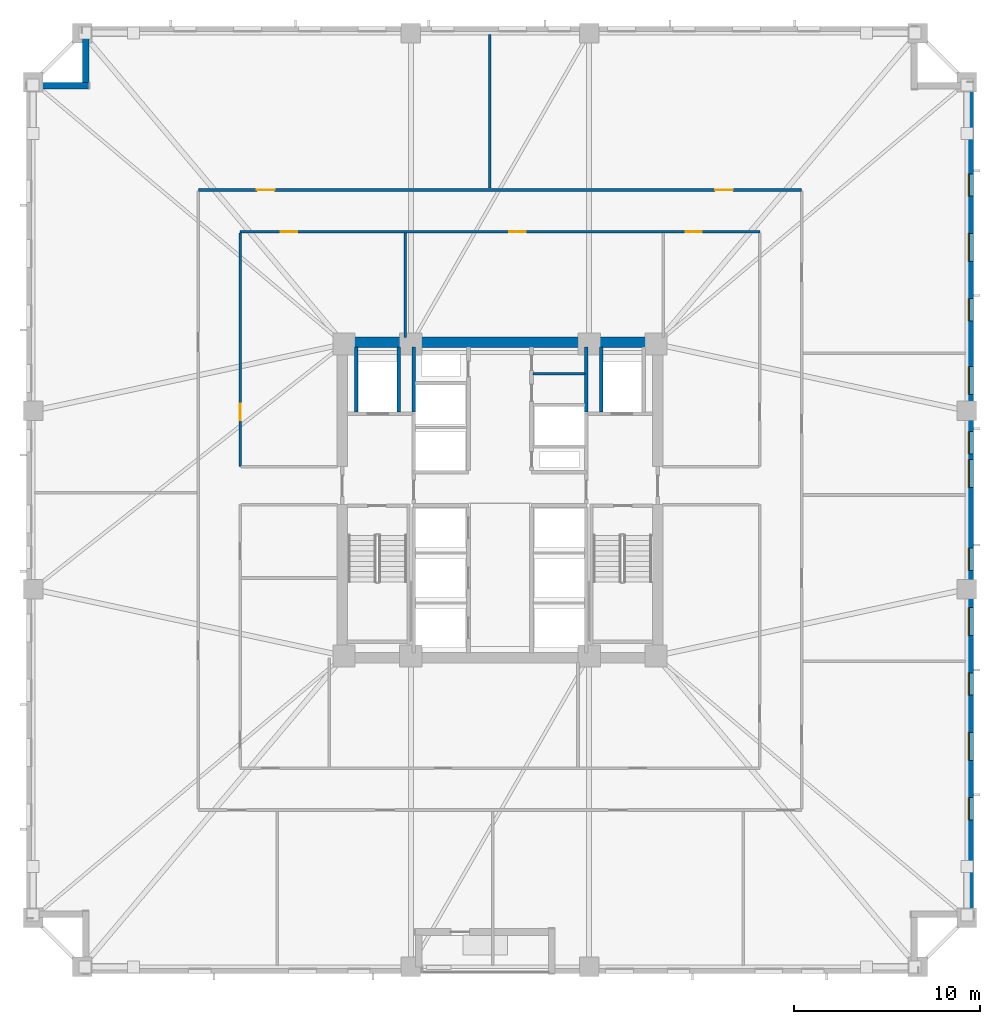
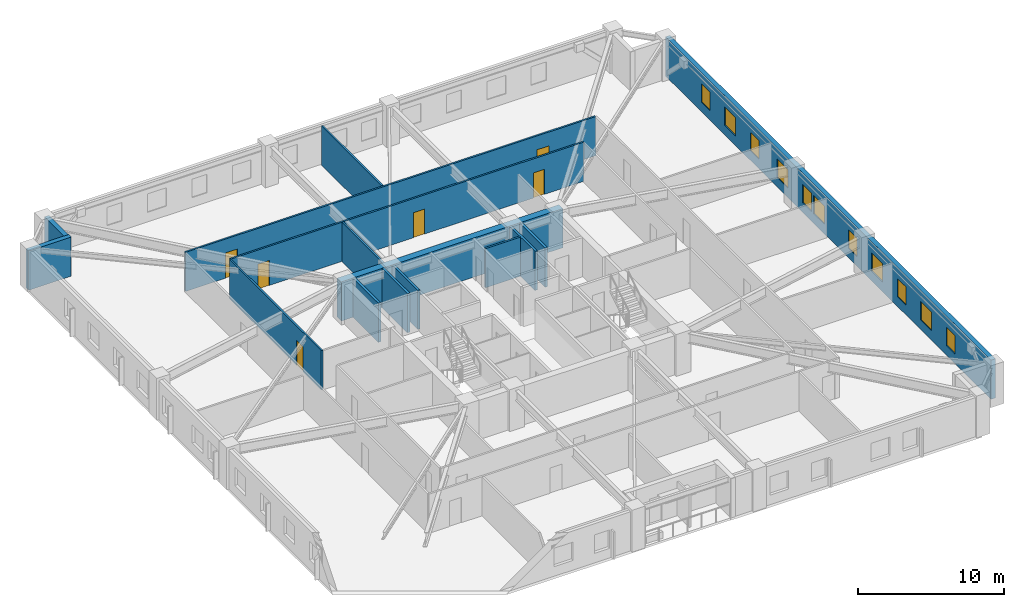
# One storey, part 5 of 11: 15 walls, 11 windows, 6 doors, 17 openings.
"""IFC4 building model written with IfcOpenShell, lengths in metres."""

from ifc_helpers import new_model, si_unit, direction, frame, frame_2d, origin, place, context, subcontext, project, spatial, rectangle, extrude, material, layer, layer_set, type_object, element, fill, save


model = new_model("IFC4")

# Units and contexts
model_context = context("Model", 3, precision=1e-05, world=origin(), true_north=direction((0.0, 1.0)))
body_context = subcontext(model_context, "Body", "Model", "MODEL_VIEW")
ifc_project = project(units=[si_unit("LENGTHUNIT", "METRE"), si_unit("AREAUNIT", "SQUARE_METRE"), si_unit("VOLUMEUNIT", "CUBIC_METRE"), si_unit("PLANEANGLEUNIT", "RADIAN"), si_unit("MASSUNIT", "GRAM", prefix="KILO")], contexts=[model_context])

# Site, building, storey
site_placement = place(None, origin())
site = spatial("IfcSite", under=ifc_project, at=site_placement, CompositionType="ELEMENT")
building_placement = place(site_placement, origin())
building = spatial("IfcBuilding", under=site, at=building_placement, Name="Cairnveth Concourse Tower", CompositionType="ELEMENT")
storey_placement = place(building_placement, frame((0.0, 0.0, 34.0)))
storey = spatial("IfcBuildingStorey", under=building, at=storey_placement, Name="L08", CompositionType="ELEMENT", Elevation=34.0)

# Walls
ifc_material_1 = material(Name="Gypsum Plasterboard Partition", Category="gypsum")
ifc_layer_1 = layer(ifc_material_1, 0.159912109375)
ifc_layer_set_1 = layer_set([ifc_layer_1], Name="Gypsum Plasterboard Partition")
wall_type_1 = type_object("IfcWallType", Name="ACOUSTIC PARTY WALL 180", PredefinedType="PARTITIONING", material=ifc_layer_set_1)
wall_1_placement = place(storey_placement, frame((53.784912109375, 45.800048828125, 0.0), z_axis=(0.0, 0.0, 1.0), x_axis=(1.0, 0.0, 0.0)))
element("IfcWall", 1, at=wall_1_placement, inside=storey, type_object=wall_type_1, Name="Interior Wall IW-L08-037", PredefinedType="PARTITIONING", context=body_context, shape_type="SweptSolid", body=[
    extrude(rectangle(XDim=2.7900390625, YDim=0.159912109375, at=frame_2d((1.39501953125, 0.0))), origin(), (0.0, 0.0, 1.0), 3.280029296875),
])
ifc_material_2 = material(Name="Concrete N80 (80 MPa)", Category="concrete")
ifc_layer_2 = layer(ifc_material_2, 0.550048828125)
ifc_layer_set_2 = layer_set([ifc_layer_2], Name="Concrete N80 (80 MPa)")
wall_type_2 = type_object("IfcWallType", Name="CORE SHEAR WALL 550", PredefinedType="SHEAR", material=ifc_layer_set_2)
wall_2_placement = place(storey_placement, frame((43.22509765625, 47.5, 0.0), z_axis=(0.0, 0.0, 1.0), x_axis=(1.0, 0.0, 0.0)))
element("IfcWall", 2, at=wall_2_placement, inside=storey, type_object=wall_type_2, Name="Core North Shear Wall L08", PredefinedType="SHEAR", context=body_context, shape_type="SweptSolid", body=[
    extrude(rectangle(XDim=17.5498046875, YDim=0.550048828125, at=frame_2d((8.77490234375, 0.0))), origin(), (0.0, 0.0, 1.0), 3.280029296875),
])
ifc_material_3 = material(Name="Concrete N50 (50 MPa)", Category="concrete")
ifc_layer_3 = layer(ifc_material_3, 0.179931640625)
ifc_layer_set_3 = layer_set([ifc_layer_3], Name="Concrete N50 (50 MPa)")
wall_type_3 = type_object("IfcWallType", Name="FIRE SHAFT WALL 180", PredefinedType="SOLIDWALL", material=ifc_layer_set_3)
for number, where, z_axis, x_axis, name in (
    (3, (47.35009765625, 43.735107421875, 0.0), (0.0, 0.0, 1.0), (0.0, 1.0, 0.0), "Interior Wall IW-L08-031"),
    (4, (56.64990234375, 43.735107421875, 0.0), (0.0, 0.0, 1.0), (0.0, 1.0, 0.0), "Interior Wall IW-L08-034"),
):
    element("IfcWall", number, at=place(storey_placement, frame(where, z_axis=z_axis, x_axis=x_axis)), inside=storey, type_object=wall_type_3, Name=name, PredefinedType="SOLIDWALL", context=body_context, shape_type="SweptSolid", body=[
        extrude(rectangle(XDim=3.5048828125, YDim=0.179931640625, at=frame_2d((1.75244140625, 0.0))), origin(), (0.0, 0.0, 1.0), 3.280029296875),
    ])
ifc_layer_4 = layer(ifc_material_3, 0.199951171875)
ifc_layer_set_4 = layer_set([ifc_layer_4], Name="Concrete N50 (50 MPa)")
wall_type_4 = type_object("IfcWallType", Name="FIRE SHAFT WALL 200", PredefinedType="SOLIDWALL", material=ifc_layer_set_4)
for number, where, z_axis, x_axis, name in (
    (5, (46.550048828125, 43.735107421875, 0.0), (0.0, 0.0, 1.0), (0.0, 1.0, 0.0), "Interior Wall IW-L08-018"),
    (6, (44.25, 43.735107421875, 0.0), (0.0, 0.0, 1.0), (0.0, 1.0, 0.0), "Interior Wall IW-L08-019"),
    (7, (57.449951171875, 43.735107421875, 0.0), (0.0, 0.0, 1.0), (0.0, 1.0, 0.0), "Interior Wall IW-L08-023"),
):
    element("IfcWall", number, at=place(storey_placement, frame(where, z_axis=z_axis, x_axis=x_axis)), inside=storey, type_object=wall_type_4, Name=name, PredefinedType="SOLIDWALL", context=body_context, shape_type="SweptSolid", body=[
        extrude(rectangle(XDim=3.5048828125, YDim=0.199951171875, at=frame_2d((1.75244140625, 0.0))), origin(), (0.0, 0.0, 1.0), 3.280029296875),
    ])

# Wall, openings, doors
ifc_layer_5 = layer(ifc_material_1, 0.139892578125)
ifc_layer_set_5 = layer_set([ifc_layer_5], Name="Gypsum Plasterboard Partition")
wall_type_5 = type_object("IfcWallType", Name="GYPSUM STUD PARTITION 140", PredefinedType="PARTITIONING", material=ifc_layer_set_5)
wall_3_placement = place(storey_placement, frame((35.75, 55.699951171875, 0.0), z_axis=(0.0, 0.0, 1.0), x_axis=(1.0, 0.0, 0.0)))
wall_3 = element("IfcWall", 8, at=wall_3_placement, inside=storey, type_object=wall_type_5, Name="Interior Wall IW-L08-039", PredefinedType="PARTITIONING", context=body_context, shape_type="SweptSolid", body=[
    extrude(rectangle(XDim=32.5, YDim=0.139892578125, at=frame_2d((16.25, 0.0))), origin(), (0.0, 0.0, 1.0), 3.280029296875),
])
opening_1_placement = place(wall_3_placement, frame((3.15380859375, 0.0, 0.0)))
opening_1 = element("IfcOpeningElement", 9, at=opening_1_placement, cuts=wall_3, Name="Opening ID11", PredefinedType="OPENING", context=body_context, shape_type="SweptSolid", body=[
    extrude(rectangle(XDim=0.9599609375, YDim=2.1201171875, at=frame_2d((0.47998046875, 1.06005859375))), frame((0.0, 0.079833984375, 0.0), z_axis=(0.0, -1.0, 0.0), x_axis=(1.0, 0.0, 0.0)), (0.0, 0.0, 1.0), 0.159912109375),
])
opening_2_placement = place(wall_3_placement, frame((27.833740234375, 0.0, 0.0)))
opening_2 = element("IfcOpeningElement", 10, at=opening_2_placement, cuts=wall_3, Name="Opening ID11", PredefinedType="OPENING", context=body_context, shape_type="SweptSolid", body=[
    extrude(rectangle(XDim=0.9599609375, YDim=2.1201171875, at=frame_2d((0.47998046875, 1.06005859375))), frame((0.0, 0.079833984375, 0.0), z_axis=(0.0, -1.0, 0.0), x_axis=(1.0, 0.0, 0.0)), (0.0, 0.0, 1.0), 0.159912109375),
])
ifc_material_4 = material(Name="Solid Core Hardwood Timber Leaf", Category="wood")
door_type_1 = type_object("IfcDoorType", Name="INTERIOR SINGLE DOOR 960X2150", OperationType="NOTDEFINED", PredefinedType="DOOR", material=ifc_material_4)
door_1_placement = place(opening_1_placement, origin())
door_1 = element("IfcDoor", 11, at=door_1_placement, inside=storey, type_object=door_type_1, Name="Office Door L08-N1", OperationType="SINGLE_SWING_LEFT", OverallHeight=2.1201171875, OverallWidth=0.9599609375, PredefinedType="DOOR", context=body_context, shape_type="SweptSolid", body=[
    extrude(rectangle(XDim=0.9599609375, YDim=2.1201171875, at=frame_2d((0.47998046875, 1.06005859375))), frame((0.0, 0.02490234375, 0.0), z_axis=(0.0, -1.0, 0.0), x_axis=(1.0, 0.0, 0.0)), (0.0, 0.0, 1.0), 0.050048828125),
])
fill(opening_1, door_1)
door_2_placement = place(opening_2_placement, origin())
door_2 = element("IfcDoor", 12, at=door_2_placement, inside=storey, type_object=door_type_1, Name="Office Door L08-N2", OperationType="SINGLE_SWING_RIGHT", OverallHeight=2.1201171875, OverallWidth=0.9599609375, PredefinedType="DOOR", context=body_context, shape_type="SweptSolid", body=[
    extrude(rectangle(XDim=0.9599609375, YDim=2.1201171875, at=frame_2d((0.47998046875, 1.06005859375))), frame((0.0, 0.02490234375, 0.0), z_axis=(0.0, -1.0, 0.0), x_axis=(1.0, 0.0, 0.0)), (0.0, 0.0, 1.0), 0.050048828125),
])
fill(opening_2, door_2)

wall_4_placement = place(storey_placement, frame((38.0, 53.449951171875, 0.0), z_axis=(0.0, 0.0, 1.0), x_axis=(1.0, 0.0, 0.0)))
wall_4 = element("IfcWall", 13, at=wall_4_placement, inside=storey, type_object=wall_type_5, Name="Interior Wall IW-L08-043", PredefinedType="PARTITIONING", context=body_context, shape_type="SweptSolid", body=[
    extrude(rectangle(XDim=28.0, YDim=0.139892578125, at=frame_2d((14.0, 0.0))), origin(), (0.0, 0.0, 1.0), 3.280029296875),
])
opening_3_placement = place(wall_4_placement, frame((2.199951171875, 0.0, 0.0)))
opening_3 = element("IfcOpeningElement", 14, at=opening_3_placement, cuts=wall_4, Name="Opening ID18", PredefinedType="OPENING", context=body_context, shape_type="SweptSolid", body=[
    extrude(rectangle(XDim=0.8798828125, YDim=2.10009765625, at=frame_2d((0.43994140625, 1.050048828125))), frame((0.0, 0.079833984375, 0.0), z_axis=(0.0, -1.0, 0.0), x_axis=(1.0, 0.0, 0.0)), (0.0, 0.0, 1.0), 0.159912109375),
])
opening_4_placement = place(wall_4_placement, frame((14.5, 0.0, 0.0)))
opening_4 = element("IfcOpeningElement", 15, at=opening_4_placement, cuts=wall_4, Name="Opening ID18", PredefinedType="OPENING", context=body_context, shape_type="SweptSolid", body=[
    extrude(rectangle(XDim=0.8798828125, YDim=2.10009765625, at=frame_2d((0.43994140625, 1.050048828125))), frame((0.0, 0.079833984375, 0.0), z_axis=(0.0, -1.0, 0.0), x_axis=(1.0, 0.0, 0.0)), (0.0, 0.0, 1.0), 0.159912109375),
])
opening_5_placement = place(wall_4_placement, frame((24.0, 0.0, 0.0)))
opening_5 = element("IfcOpeningElement", 16, at=opening_5_placement, cuts=wall_4, Name="Opening ID18", PredefinedType="OPENING", context=body_context, shape_type="SweptSolid", body=[
    extrude(rectangle(XDim=0.8798828125, YDim=2.10009765625, at=frame_2d((0.43994140625, 1.050048828125))), frame((0.0, 0.079833984375, 0.0), z_axis=(0.0, -1.0, 0.0), x_axis=(1.0, 0.0, 0.0)), (0.0, 0.0, 1.0), 0.159912109375),
])
door_type_2 = type_object("IfcDoorType", Name="INTERIOR SINGLE DOOR 880X2100", OperationType="NOTDEFINED", PredefinedType="DOOR", material=ifc_material_4)
door_3_placement = place(opening_3_placement, origin())
door_3 = element("IfcDoor", 17, at=door_3_placement, inside=storey, type_object=door_type_2, Name="Interior Door DR-L08-017", OperationType="SINGLE_SWING_LEFT", OverallHeight=2.10009765625, OverallWidth=0.8798828125, PredefinedType="DOOR", context=body_context, shape_type="SweptSolid", body=[
    extrude(rectangle(XDim=0.8798828125, YDim=2.10009765625, at=frame_2d((0.43994140625, 1.050048828125))), frame((0.0, 0.02490234375, 0.0), z_axis=(0.0, -1.0, 0.0), x_axis=(1.0, 0.0, 0.0)), (0.0, 0.0, 1.0), 0.050048828125),
])
fill(opening_3, door_3)
door_4_placement = place(opening_4_placement, origin())
door_4 = element("IfcDoor", 18, at=door_4_placement, inside=storey, type_object=door_type_2, Name="Interior Door DR-L08-018", OperationType="SINGLE_SWING_RIGHT", OverallHeight=2.10009765625, OverallWidth=0.8798828125, PredefinedType="DOOR", context=body_context, shape_type="SweptSolid", body=[
    extrude(rectangle(XDim=0.8798828125, YDim=2.10009765625, at=frame_2d((0.43994140625, 1.050048828125))), frame((0.0, 0.02490234375, 0.0), z_axis=(0.0, -1.0, 0.0), x_axis=(1.0, 0.0, 0.0)), (0.0, 0.0, 1.0), 0.050048828125),
])
fill(opening_4, door_4)
door_5_placement = place(opening_5_placement, origin())
door_5 = element("IfcDoor", 19, at=door_5_placement, inside=storey, type_object=door_type_2, Name="Interior Door DR-L08-019", OperationType="SINGLE_SWING_LEFT", OverallHeight=2.10009765625, OverallWidth=0.8798828125, PredefinedType="DOOR", context=body_context, shape_type="SweptSolid", body=[
    extrude(rectangle(XDim=0.8798828125, YDim=2.10009765625, at=frame_2d((0.43994140625, 1.050048828125))), frame((0.0, 0.02490234375, 0.0), z_axis=(0.0, -1.0, 0.0), x_axis=(1.0, 0.0, 0.0)), (0.0, 0.0, 1.0), 0.050048828125),
])
fill(opening_5, door_5)

# Wall, opening, door
wall_5_placement = place(storey_placement, frame((38.0, 40.800048828125, 0.0), z_axis=(0.0, 0.0, 1.0), x_axis=(0.0, 1.0, 0.0)))
wall_5 = element("IfcWall", 20, at=wall_5_placement, inside=storey, type_object=wall_type_5, Name="Interior Wall IW-L08-045", PredefinedType="PARTITIONING", context=body_context, shape_type="SweptSolid", body=[
    extrude(rectangle(XDim=12.594970703125, YDim=0.139892578125, at=frame_2d((6.29736328125, 0.0))), origin(), (0.0, 0.0, 1.0), 3.280029296875),
])
opening_6_placement = place(wall_5_placement, frame((2.5, 0.0, 0.0)))
opening_6 = element("IfcOpeningElement", 21, at=opening_6_placement, cuts=wall_5, Name="Opening ID18", PredefinedType="OPENING", context=body_context, shape_type="SweptSolid", body=[
    extrude(rectangle(XDim=0.8798828125, YDim=2.10009765625, at=frame_2d((0.43994140625, 1.050048828125))), frame((0.0, 0.079833984375, 0.0), z_axis=(0.0, -1.0, 0.0), x_axis=(1.0, 0.0, 0.0)), (0.0, 0.0, 1.0), 0.159912109375),
])
door_6_placement = place(opening_6_placement, origin())
door_6 = element("IfcDoor", 22, at=door_6_placement, inside=storey, type_object=door_type_2, Name="Interior Door DR-L08-022", OperationType="SINGLE_SWING_RIGHT", OverallHeight=2.10009765625, OverallWidth=0.8798828125, PredefinedType="DOOR", context=body_context, shape_type="SweptSolid", body=[
    extrude(rectangle(XDim=0.8798828125, YDim=2.10009765625, at=frame_2d((0.43994140625, 1.050048828125))), frame((0.0, 0.02490234375, 0.0), z_axis=(0.0, -1.0, 0.0), x_axis=(1.0, 0.0, 0.0)), (0.0, 0.0, 1.0), 0.050048828125),
])
fill(opening_6, door_6)

# Walls
wall_6_placement = place(storey_placement, frame((46.89990234375, 47.760009765625, 0.0), z_axis=(0.0, 0.0, 1.0), x_axis=(0.0, 1.0, 0.0)))
element("IfcWall", 23, at=wall_6_placement, inside=storey, type_object=wall_type_5, Name="Interior Wall IW-L08-054", PredefinedType="PARTITIONING", context=body_context, shape_type="SweptSolid", body=[
    extrude(rectangle(XDim=5.635009765625, YDim=0.139892578125, at=frame_2d((2.8173828125, 0.0))), origin(), (0.0, 0.0, 1.0), 3.280029296875),
])
wall_7_placement = place(storey_placement, frame((51.447509765625, 55.800048828125, 0.0), z_axis=(0.0, 0.0, 1.0), x_axis=(0.0, 1.0, 0.0)))
element("IfcWall", 24, at=wall_7_placement, inside=storey, type_object=wall_type_5, Name="Interior Wall IW-L08-060", PredefinedType="PARTITIONING", context=body_context, shape_type="SweptSolid", body=[
    extrude(rectangle(XDim=8.280029296875, YDim=0.139892578125, at=frame_2d((4.14013671875, 0.0))), origin(), (0.0, 0.0, 1.0), 3.280029296875),
])
ifc_material_5 = material(Name="Hawthorn Red-Ochre Fired Clay Brick Masonry", Category="masonry")
ifc_layer_6 = layer(ifc_material_5, 0.360107421875)
ifc_layer_set_6 = layer_set([ifc_layer_6], Name="Hawthorn Red-Ochre Fired Clay Brick Masonry")
wall_type_6 = type_object("IfcWallType", Name="ZONE 1 BRICK PIER SPANDREL WALL 360", PredefinedType="SOLIDWALL", material=ifc_layer_set_6)
wall_8_placement = place(storey_placement, frame((26.5, 61.320068359375, 0.0), z_axis=(0.0, 0.0, 1.0), x_axis=(1.0, 0.0, 0.0)))
element("IfcWall", 25, at=wall_8_placement, inside=storey, type_object=wall_type_6, Name="Exterior Wall EW-L08-S04", PredefinedType="SOLIDWALL", context=body_context, shape_type="SweptSolid", body=[
    extrude(rectangle(XDim=3.360107421875, YDim=0.360107421875, at=frame_2d((1.68017578125, 0.0))), origin(), (0.0, 0.0, 1.0), 3.280029296875),
])
wall_9_placement = place(storey_placement, frame((29.679931640625, 61.47802734375, 0.0), z_axis=(0.0, 0.0, 1.0), x_axis=(0.0, 1.0, 0.0)))
element("IfcWall", 26, at=wall_9_placement, inside=storey, type_object=wall_type_6, Name="Exterior Wall EW-L08-S05", PredefinedType="SOLIDWALL", context=body_context, shape_type="SweptSolid", body=[
    extrude(rectangle(XDim=2.68408203125, YDim=0.360107421875, at=frame_2d((1.342041015625, 0.0))), origin(), (0.0, 0.0, 1.0), 3.280029296875),
])

# Wall, openings, windows
wall_10_placement = place(storey_placement, frame((77.320068359375, 61.5, 0.0), z_axis=(0.0, 0.0, 1.0), x_axis=(0.0, -1.0, 0.0)))
wall_10 = element("IfcWall", 27, at=wall_10_placement, inside=storey, type_object=wall_type_6, Name="Exterior Wall EW-L08-S09", PredefinedType="SOLIDWALL", context=body_context, shape_type="SweptSolid", body=[
    extrude(rectangle(XDim=44.662109375, YDim=0.360107421875, at=frame_2d((22.3310546875, 0.0))), origin(), (0.0, 0.0, 1.0), 3.280029296875),
])
opening_7_placement = place(wall_10_placement, frame((4.93017578125, 0.0, 0.800048828125)))
opening_7 = element("IfcOpeningElement", 28, at=opening_7_placement, cuts=wall_10, Name="Opening W01", PredefinedType="OPENING", context=body_context, shape_type="SweptSolid", body=[
    extrude(rectangle(XDim=1.199951171875, YDim=1.5439453125, at=frame_2d((0.60009765625, 0.77197265625))), frame((0.0, 0.18994140625, 0.0), z_axis=(0.0, -1.0, 0.0), x_axis=(1.0, 0.0, 0.0)), (0.0, 0.0, 1.0), 0.380126953125),
])
opening_8_placement = place(wall_10_placement, frame((8.140380859375, 0.0, 0.800048828125)))
opening_8 = element("IfcOpeningElement", 29, at=opening_8_placement, cuts=wall_10, Name="Opening W03", PredefinedType="OPENING", context=body_context, shape_type="SweptSolid", body=[
    extrude(rectangle(XDim=1.5, YDim=1.5439453125, at=frame_2d((0.75, 0.77197265625))), frame((0.0, 0.18994140625, 0.0), z_axis=(0.0, -1.0, 0.0), x_axis=(1.0, 0.0, 0.0)), (0.0, 0.0, 1.0), 0.380126953125),
])
opening_9_placement = place(wall_10_placement, frame((11.650390625, 0.0, 0.800048828125)))
opening_9 = element("IfcOpeningElement", 30, at=opening_9_placement, cuts=wall_10, Name="Opening W01", PredefinedType="OPENING", context=body_context, shape_type="SweptSolid", body=[
    extrude(rectangle(XDim=1.199951171875, YDim=1.5439453125, at=frame_2d((0.60009765625, 0.77197265625))), frame((0.0, 0.18994140625, 0.0), z_axis=(0.0, -1.0, 0.0), x_axis=(1.0, 0.0, 0.0)), (0.0, 0.0, 1.0), 0.380126953125),
])
opening_10_placement = place(wall_10_placement, frame((15.310546875, 0.0, 0.800048828125)))
opening_10 = element("IfcOpeningElement", 31, at=opening_10_placement, cuts=wall_10, Name="Opening W03", PredefinedType="OPENING", context=body_context, shape_type="SweptSolid", body=[
    extrude(rectangle(XDim=1.5, YDim=1.5439453125, at=frame_2d((0.75, 0.77197265625))), frame((0.0, 0.18994140625, 0.0), z_axis=(0.0, -1.0, 0.0), x_axis=(1.0, 0.0, 0.0)), (0.0, 0.0, 1.0), 0.380126953125),
])
opening_11_placement = place(wall_10_placement, frame((18.82080078125, 0.0, 0.800048828125)))
opening_11 = element("IfcOpeningElement", 32, at=opening_11_placement, cuts=wall_10, Name="Opening W01", PredefinedType="OPENING", context=body_context, shape_type="SweptSolid", body=[
    extrude(rectangle(XDim=1.199951171875, YDim=1.5439453125, at=frame_2d((0.60009765625, 0.77197265625))), frame((0.0, 0.18994140625, 0.0), z_axis=(0.0, -1.0, 0.0), x_axis=(1.0, 0.0, 0.0)), (0.0, 0.0, 1.0), 0.380126953125),
])
opening_12_placement = place(wall_10_placement, frame((20.3310546875, 0.0, 0.800048828125)))
opening_12 = element("IfcOpeningElement", 33, at=opening_12_placement, cuts=wall_10, Name="Opening W03", PredefinedType="OPENING", context=body_context, shape_type="SweptSolid", body=[
    extrude(rectangle(XDim=1.5, YDim=1.5439453125, at=frame_2d((0.75, 0.77197265625))), frame((0.0, 0.18994140625, 0.0), z_axis=(0.0, -1.0, 0.0), x_axis=(1.0, 0.0, 0.0)), (0.0, 0.0, 1.0), 0.380126953125),
])
opening_13_placement = place(wall_10_placement, frame((25.09130859375, 0.0, 0.800048828125)))
opening_13 = element("IfcOpeningElement", 34, at=opening_13_placement, cuts=wall_10, Name="Opening W01", PredefinedType="OPENING", context=body_context, shape_type="SweptSolid", body=[
    extrude(rectangle(XDim=1.199951171875, YDim=1.5439453125, at=frame_2d((0.60009765625, 0.77197265625))), frame((0.0, 0.18994140625, 0.0), z_axis=(0.0, -1.0, 0.0), x_axis=(1.0, 0.0, 0.0)), (0.0, 0.0, 1.0), 0.380126953125),
])
opening_14_placement = place(wall_10_placement, frame((28.301513671875, 0.0, 0.800048828125)))
opening_14 = element("IfcOpeningElement", 35, at=opening_14_placement, cuts=wall_10, Name="Opening W03", PredefinedType="OPENING", context=body_context, shape_type="SweptSolid", body=[
    extrude(rectangle(XDim=1.5, YDim=1.5439453125, at=frame_2d((0.75, 0.77197265625))), frame((0.0, 0.18994140625, 0.0), z_axis=(0.0, -1.0, 0.0), x_axis=(1.0, 0.0, 0.0)), (0.0, 0.0, 1.0), 0.380126953125),
])
opening_15_placement = place(wall_10_placement, frame((31.8115234375, 0.0, 0.800048828125)))
opening_15 = element("IfcOpeningElement", 36, at=opening_15_placement, cuts=wall_10, Name="Opening W01", PredefinedType="OPENING", context=body_context, shape_type="SweptSolid", body=[
    extrude(rectangle(XDim=1.199951171875, YDim=1.5439453125, at=frame_2d((0.60009765625, 0.77197265625))), frame((0.0, 0.18994140625, 0.0), z_axis=(0.0, -1.0, 0.0), x_axis=(1.0, 0.0, 0.0)), (0.0, 0.0, 1.0), 0.380126953125),
])
opening_16_placement = place(wall_10_placement, frame((35.021728515625, 0.0, 0.800048828125)))
opening_16 = element("IfcOpeningElement", 37, at=opening_16_placement, cuts=wall_10, Name="Opening W03", PredefinedType="OPENING", context=body_context, shape_type="SweptSolid", body=[
    extrude(rectangle(XDim=1.5, YDim=1.5439453125, at=frame_2d((0.75, 0.77197265625))), frame((0.0, 0.18994140625, 0.0), z_axis=(0.0, -1.0, 0.0), x_axis=(1.0, 0.0, 0.0)), (0.0, 0.0, 1.0), 0.380126953125),
])
opening_17_placement = place(wall_10_placement, frame((38.531982421875, 0.0, 0.800048828125)))
opening_17 = element("IfcOpeningElement", 38, at=opening_17_placement, cuts=wall_10, Name="Opening W01", PredefinedType="OPENING", context=body_context, shape_type="SweptSolid", body=[
    extrude(rectangle(XDim=1.199951171875, YDim=1.5439453125, at=frame_2d((0.60009765625, 0.77197265625))), frame((0.0, 0.18994140625, 0.0), z_axis=(0.0, -1.0, 0.0), x_axis=(1.0, 0.0, 0.0)), (0.0, 0.0, 1.0), 0.380126953125),
])
ifc_material_6 = material(Name="Double Glazed Low-E Clear Glass", Category="glass")
window_type_1 = type_object("IfcWindowType", Name="DEEP-SET GOTHIC LANCET WINDOW 1200X1800", PartitioningType="DOUBLE_PANEL_VERTICAL", PredefinedType="WINDOW", material=ifc_material_6)
window_1_placement = place(opening_7_placement, origin())
window_1 = element("IfcWindow", 39, at=window_1_placement, inside=storey, type_object=window_type_1, Name="Gothic Lancet Window L08-9-1", OverallHeight=1.5439453125, OverallWidth=1.199951171875, PartitioningType="SINGLE_PANEL", PredefinedType="WINDOW", context=body_context, shape_type="SweptSolid", body=[
    extrude(rectangle(XDim=1.199951171875, YDim=1.5439453125, at=frame_2d((0.60009765625, 0.77197265625))), frame((0.0, -0.050048828125, 0.0), z_axis=(0.0, -1.0, 0.0), x_axis=(1.0, 0.0, 0.0)), (0.0, 0.0, 1.0), 0.06005859375),
])
fill(opening_7, window_1)
window_2_placement = place(opening_9_placement, origin())
window_2 = element("IfcWindow", 40, at=window_2_placement, inside=storey, type_object=window_type_1, Name="Gothic Lancet Window L08-9-3", OverallHeight=1.5439453125, OverallWidth=1.199951171875, PartitioningType="SINGLE_PANEL", PredefinedType="WINDOW", context=body_context, shape_type="SweptSolid", body=[
    extrude(rectangle(XDim=1.199951171875, YDim=1.5439453125, at=frame_2d((0.60009765625, 0.77197265625))), frame((0.0, -0.050048828125, 0.0), z_axis=(0.0, -1.0, 0.0), x_axis=(1.0, 0.0, 0.0)), (0.0, 0.0, 1.0), 0.06005859375),
])
fill(opening_9, window_2)
window_3_placement = place(opening_11_placement, origin())
window_3 = element("IfcWindow", 41, at=window_3_placement, inside=storey, type_object=window_type_1, Name="Gothic Lancet Window L08-9-5", OverallHeight=1.5439453125, OverallWidth=1.199951171875, PartitioningType="SINGLE_PANEL", PredefinedType="WINDOW", context=body_context, shape_type="SweptSolid", body=[
    extrude(rectangle(XDim=1.199951171875, YDim=1.5439453125, at=frame_2d((0.60009765625, 0.77197265625))), frame((0.0, -0.050048828125, 0.0), z_axis=(0.0, -1.0, 0.0), x_axis=(1.0, 0.0, 0.0)), (0.0, 0.0, 1.0), 0.06005859375),
])
fill(opening_11, window_3)
window_4_placement = place(opening_13_placement, origin())
window_4 = element("IfcWindow", 42, at=window_4_placement, inside=storey, type_object=window_type_1, Name="Gothic Lancet Window L08-9-7", OverallHeight=1.5439453125, OverallWidth=1.199951171875, PartitioningType="SINGLE_PANEL", PredefinedType="WINDOW", context=body_context, shape_type="SweptSolid", body=[
    extrude(rectangle(XDim=1.199951171875, YDim=1.5439453125, at=frame_2d((0.60009765625, 0.77197265625))), frame((0.0, -0.050048828125, 0.0), z_axis=(0.0, -1.0, 0.0), x_axis=(1.0, 0.0, 0.0)), (0.0, 0.0, 1.0), 0.06005859375),
])
fill(opening_13, window_4)
window_5_placement = place(opening_15_placement, origin())
window_5 = element("IfcWindow", 43, at=window_5_placement, inside=storey, type_object=window_type_1, Name="Gothic Lancet Window L08-9-9", OverallHeight=1.5439453125, OverallWidth=1.199951171875, PartitioningType="SINGLE_PANEL", PredefinedType="WINDOW", context=body_context, shape_type="SweptSolid", body=[
    extrude(rectangle(XDim=1.199951171875, YDim=1.5439453125, at=frame_2d((0.60009765625, 0.77197265625))), frame((0.0, -0.050048828125, 0.0), z_axis=(0.0, -1.0, 0.0), x_axis=(1.0, 0.0, 0.0)), (0.0, 0.0, 1.0), 0.06005859375),
])
fill(opening_15, window_5)
window_6_placement = place(opening_17_placement, origin())
window_6 = element("IfcWindow", 44, at=window_6_placement, inside=storey, type_object=window_type_1, Name="Gothic Lancet Window L08-9-11", OverallHeight=1.5439453125, OverallWidth=1.199951171875, PartitioningType="SINGLE_PANEL", PredefinedType="WINDOW", context=body_context, shape_type="SweptSolid", body=[
    extrude(rectangle(XDim=1.199951171875, YDim=1.5439453125, at=frame_2d((0.60009765625, 0.77197265625))), frame((0.0, -0.050048828125, 0.0), z_axis=(0.0, -1.0, 0.0), x_axis=(1.0, 0.0, 0.0)), (0.0, 0.0, 1.0), 0.06005859375),
])
fill(opening_17, window_6)
window_type_2 = type_object("IfcWindowType", Name="DEEP-SET GOTHIC LANCET WINDOW 1500X1800", PartitioningType="DOUBLE_PANEL_VERTICAL", PredefinedType="WINDOW", material=ifc_material_6)
window_7_placement = place(opening_8_placement, origin())
window_7 = element("IfcWindow", 45, at=window_7_placement, inside=storey, type_object=window_type_2, Name="Gothic Lancet Window L08-9-2", OverallHeight=1.5439453125, OverallWidth=1.5, PartitioningType="SINGLE_PANEL", PredefinedType="WINDOW", context=body_context, shape_type="SweptSolid", body=[
    extrude(rectangle(XDim=1.5, YDim=1.5439453125, at=frame_2d((0.75, 0.77197265625))), frame((0.0, -0.050048828125, 0.0), z_axis=(0.0, -1.0, 0.0), x_axis=(1.0, 0.0, 0.0)), (0.0, 0.0, 1.0), 0.06005859375),
])
fill(opening_8, window_7)
window_8_placement = place(opening_10_placement, origin())
window_8 = element("IfcWindow", 46, at=window_8_placement, inside=storey, type_object=window_type_2, Name="Gothic Lancet Window L08-9-4", OverallHeight=1.5439453125, OverallWidth=1.5, PartitioningType="SINGLE_PANEL", PredefinedType="WINDOW", context=body_context, shape_type="SweptSolid", body=[
    extrude(rectangle(XDim=1.5, YDim=1.5439453125, at=frame_2d((0.75, 0.77197265625))), frame((0.0, -0.050048828125, 0.0), z_axis=(0.0, -1.0, 0.0), x_axis=(1.0, 0.0, 0.0)), (0.0, 0.0, 1.0), 0.06005859375),
])
fill(opening_10, window_8)
window_9_placement = place(opening_12_placement, origin())
window_9 = element("IfcWindow", 47, at=window_9_placement, inside=storey, type_object=window_type_2, Name="Gothic Lancet Window L08-9-6", OverallHeight=1.5439453125, OverallWidth=1.5, PartitioningType="SINGLE_PANEL", PredefinedType="WINDOW", context=body_context, shape_type="SweptSolid", body=[
    extrude(rectangle(XDim=1.5, YDim=1.5439453125, at=frame_2d((0.75, 0.77197265625))), frame((0.0, -0.050048828125, 0.0), z_axis=(0.0, -1.0, 0.0), x_axis=(1.0, 0.0, 0.0)), (0.0, 0.0, 1.0), 0.06005859375),
])
fill(opening_12, window_9)
window_10_placement = place(opening_14_placement, origin())
window_10 = element("IfcWindow", 48, at=window_10_placement, inside=storey, type_object=window_type_2, Name="Gothic Lancet Window L08-9-8", OverallHeight=1.5439453125, OverallWidth=1.5, PartitioningType="SINGLE_PANEL", PredefinedType="WINDOW", context=body_context, shape_type="SweptSolid", body=[
    extrude(rectangle(XDim=1.5, YDim=1.5439453125, at=frame_2d((0.75, 0.77197265625))), frame((0.0, -0.050048828125, 0.0), z_axis=(0.0, -1.0, 0.0), x_axis=(1.0, 0.0, 0.0)), (0.0, 0.0, 1.0), 0.06005859375),
])
fill(opening_14, window_10)
window_11_placement = place(opening_16_placement, origin())
window_11 = element("IfcWindow", 49, at=window_11_placement, inside=storey, type_object=window_type_2, Name="Gothic Lancet Window L08-9-10", OverallHeight=1.5439453125, OverallWidth=1.5, PartitioningType="SINGLE_PANEL", PredefinedType="WINDOW", context=body_context, shape_type="SweptSolid", body=[
    extrude(rectangle(XDim=1.5, YDim=1.5439453125, at=frame_2d((0.75, 0.77197265625))), frame((0.0, -0.050048828125, 0.0), z_axis=(0.0, -1.0, 0.0), x_axis=(1.0, 0.0, 0.0)), (0.0, 0.0, 1.0), 0.06005859375),
])
fill(opening_16, window_11)

save(model, "model.ifc")
